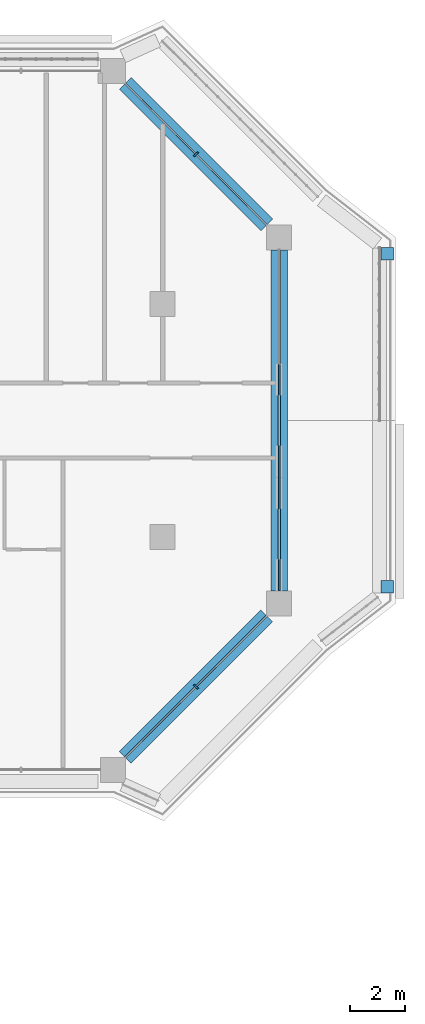
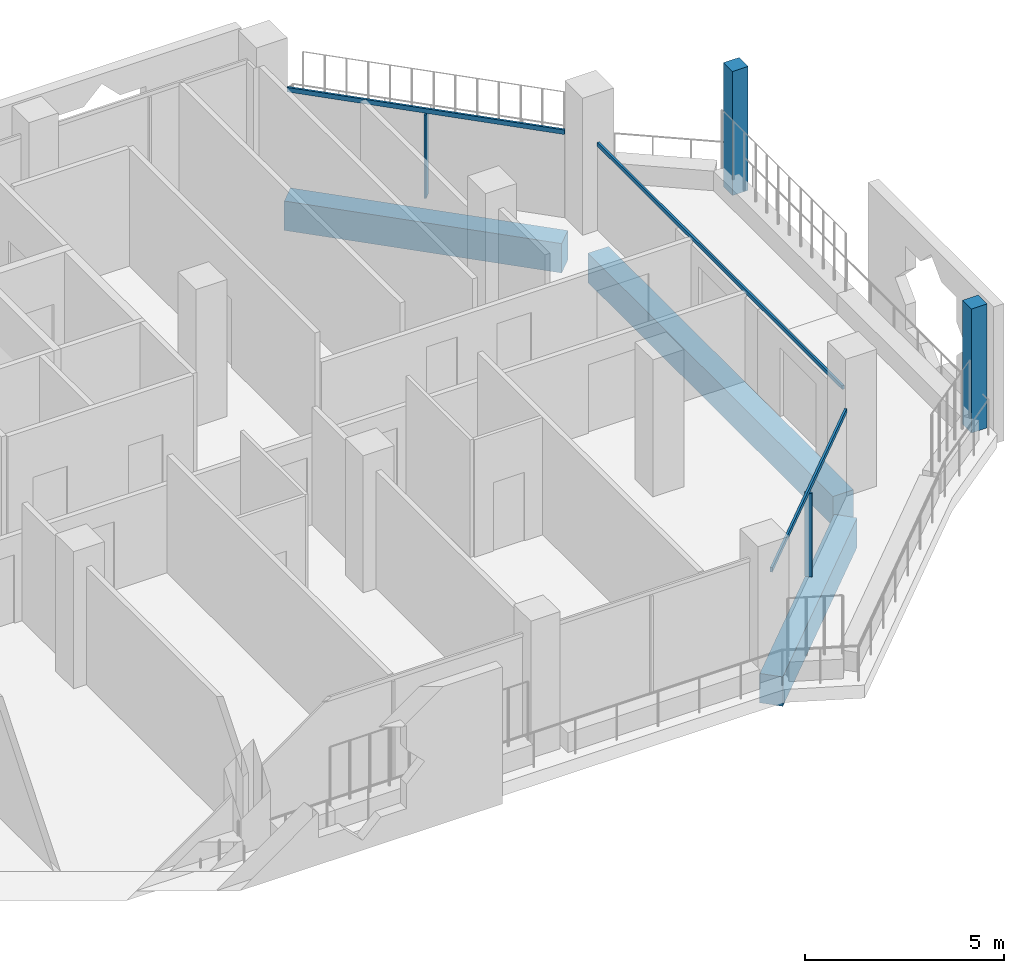
# One storey, part 7 of 21: 7 members, 3 beams, 4 elements without a shape of their own.
"""IFC4 building model written with IfcOpenShell, lengths in metres."""

from ifc_helpers import new_model, si_unit, direction, frame, origin, origin_2d, place, context, subcontext, project, spatial, rectangle, extrude, material, layer, layer_set, material_profile, profile_set, type_object, element, aggregate, save


model = new_model("IFC4")

# Units and contexts
model_context = context("Model", 3, precision=1e-05, world=origin(), true_north=direction((0.0, 1.0)))
body_context = subcontext(model_context, "Body", "Model", "MODEL_VIEW")
ifc_project = project(units=[si_unit("LENGTHUNIT", "METRE"), si_unit("AREAUNIT", "SQUARE_METRE"), si_unit("VOLUMEUNIT", "CUBIC_METRE"), si_unit("PLANEANGLEUNIT", "RADIAN"), si_unit("MASSUNIT", "GRAM", prefix="KILO")], contexts=[model_context])

# Site, building, storey
site_placement = place(None, origin())
site = spatial("IfcSite", under=ifc_project, at=site_placement, CompositionType="ELEMENT")
building_placement = place(site_placement, origin())
building = spatial("IfcBuilding", under=site, at=building_placement, Name="Kawkab Arch Medical Tower", CompositionType="ELEMENT")
storey_placement = place(building_placement, frame((0.0, 0.0, 264.199951171875)))
storey = spatial("IfcBuildingStorey", under=building, at=storey_placement, Name="L61", CompositionType="ELEMENT", Elevation=264.199951171875)

# Curtain wall, member
ifc_material_1 = material(Name="Bronze anodised aluminium curtain wall frame", Category="aluminium")
ifc_layer_1 = layer(ifc_material_1, 0.159912109375)
ifc_layer_set_1 = layer_set([ifc_layer_1], Name="Bronze anodised aluminium curtain wall frame")
curtain_wall_type_1 = type_object("IfcCurtainWallType", Name="CW1 ward curtain wall", PredefinedType="NOTDEFINED", material=ifc_layer_set_1)
placement = place(storey_placement, origin())
curtain_wall_1 = element("IfcCurtainWall", 1, at=placement, inside=storey, type_object=curtain_wall_type_1, Name="CW1 Ward curtain wall R09", PredefinedType="NOTDEFINED")
ifc_material_2 = material(Name="Bronze anodised aluminium curtain wall frame", Category="aluminium")
ifc_material_profile_1 = material_profile(ifc_material_2, rectangle(XDim=0.06005859375, YDim=0.1201171875, at=origin_2d()), Name="AL 60x120")
ifc_profile_set_1 = profile_set([ifc_material_profile_1], Name="Bronze anodised aluminium curtain wall frame")
member_type_1 = type_object("IfcMemberType", Name="CW1 transom 120 x 60", PredefinedType="USERDEFINED", material=ifc_profile_set_1)
member_1_placement = place(storey_placement, frame((63.0, -18.75, 2.64013671875), z_axis=(0.0, 1.0, 0.0), x_axis=(-1.0, 0.0, 0.0)))
member_1 = element("IfcMember", 2, at=member_1_placement, type_object=member_type_1, Name="CW1 transom 1", ObjectType="TRANSOM", PredefinedType="USERDEFINED", context=body_context, shape_type="SweptSolid", body=[
    extrude(rectangle(XDim=0.06005859375, YDim=0.1201171875, at=origin_2d()), origin(), (0.0, 0.0, 1.0), 12.300048828125),
])
aggregate(curtain_wall_1, [member_1])

ifc_material_3 = material(Name="Bronze anodised aluminium curtain wall frame", Category="aluminium")
ifc_layer_2 = layer(ifc_material_3, 0.159912109375)
ifc_layer_set_2 = layer_set([ifc_layer_2], Name="Bronze anodised aluminium curtain wall frame")
curtain_wall_type_2 = type_object("IfcCurtainWallType", Name="CW2 chamfer curtain wall", PredefinedType="NOTDEFINED", material=ifc_layer_set_2)
curtain_wall_2 = element("IfcCurtainWall", 3, at=placement, inside=storey, type_object=curtain_wall_type_2, Name="CW2 Chamfer curtain wall R08", PredefinedType="NOTDEFINED")
ifc_material_4 = material(Name="Bronze anodised aluminium curtain wall frame", Category="aluminium")
ifc_material_profile_2 = material_profile(ifc_material_4, rectangle(XDim=0.199951171875, YDim=0.06005859375, at=origin_2d()), Name="AL 60x200")
ifc_profile_set_2 = profile_set([ifc_material_profile_2], Name="Bronze anodised aluminium curtain wall frame")
member_type_2 = type_object("IfcMemberType", Name="CW2 mullion 60 x 200", PredefinedType="MULLION", material=ifc_profile_set_2)
member_2_placement = place(storey_placement, frame((60.0, -22.199951171875, 0.0), z_axis=(0.0, 0.0, 1.0), x_axis=(-0.707106781187, 0.707106781187, 0.0)))
member_2 = element("IfcMember", 4, at=member_2_placement, type_object=member_type_2, Name="CW2 mullion 1.1", PredefinedType="MULLION", context=body_context, shape_type="SweptSolid", body=[
    extrude(rectangle(XDim=0.199951171875, YDim=0.06005859375, at=origin_2d()), origin(), (0.0, 0.0, 1.0), 2.56005859375),
])

curtain_wall_3 = element("IfcCurtainWall", 5, at=placement, inside=storey, type_object=curtain_wall_type_2, Name="CW2 Chamfer curtain wall R10", PredefinedType="NOTDEFINED")
member_3_placement = place(storey_placement, frame((60.0, -3.0, 0.0), z_axis=(0.0, 0.0, 1.0), x_axis=(-0.707106781187, -0.707106781187, 0.0)))
member_3 = element("IfcMember", 6, at=member_3_placement, type_object=member_type_2, Name="CW2 mullion 1.1", PredefinedType="MULLION", context=body_context, shape_type="SweptSolid", body=[
    extrude(rectangle(XDim=0.199951171875, YDim=0.06005859375, at=origin_2d()), origin(), (0.0, 0.0, 1.0), 2.56005859375),
])

# Member
ifc_material_5 = material(Name="Bronze anodised aluminium curtain wall frame", Category="aluminium")
ifc_material_profile_3 = material_profile(ifc_material_5, rectangle(XDim=0.06005859375, YDim=0.139892578125, at=origin_2d()), Name="AL 60x140")
ifc_profile_set_3 = profile_set([ifc_material_profile_3], Name="Bronze anodised aluminium curtain wall frame")
member_type_3 = type_object("IfcMemberType", Name="CW2 transom 140 x 60", PredefinedType="USERDEFINED", material=ifc_profile_set_3)
member_4_placement = place(storey_placement, frame((57.449951171875, -24.75, 2.630126953125), z_axis=(0.707106781187, 0.707106781187, 0.0), x_axis=(-0.707106781187, 0.707106781187, 0.0)))
member_4 = element("IfcMember", 7, at=member_4_placement, type_object=member_type_3, Name="CW2 transom 1", ObjectType="TRANSOM", PredefinedType="USERDEFINED", context=body_context, shape_type="SweptSolid", body=[
    extrude(rectangle(XDim=0.06005859375, YDim=0.139892578125, at=origin_2d()), origin(), (0.0, 0.0, 1.0), 7.212646484375),
])

aggregate(curtain_wall_2, [member_4, member_2])

member_5_placement = place(storey_placement, frame((62.550048828125, -5.550048828125, 2.630126953125), z_axis=(-0.707106781187, 0.707106781187, 0.0), x_axis=(-0.707106781187, -0.707106781187, 0.0)))
member_5 = element("IfcMember", 8, at=member_5_placement, type_object=member_type_3, Name="CW2 transom 1", ObjectType="TRANSOM", PredefinedType="USERDEFINED", context=body_context, shape_type="SweptSolid", body=[
    extrude(rectangle(XDim=0.06005859375, YDim=0.139892578125, at=origin_2d()), origin(), (0.0, 0.0, 1.0), 7.212646484375),
])

aggregate(curtain_wall_3, [member_5, member_3])

# Curtain wall, members
ifc_material_6 = material(Name="Bronze anodised aluminium climber frame, planted", Category="aluminium")
ifc_layer_3 = layer(ifc_material_6, 0.449951171875)
ifc_layer_set_3 = layer_set([ifc_layer_3], Name="Bronze anodised aluminium climber frame, planted")
curtain_wall_type_3 = type_object("IfcCurtainWallType", Name="Planted climber frame", PredefinedType="NOTDEFINED", material=ifc_layer_set_3)
curtain_wall_4 = element("IfcCurtainWall", 9, at=placement, inside=storey, type_object=curtain_wall_type_3, Name="Planted climber frame L61", PredefinedType="NOTDEFINED")
ifc_material_7 = material(Name="Bronze anodised aluminium climber frame, planted", Category="aluminium")
ifc_material_profile_4 = material_profile(ifc_material_7, rectangle(XDim=0.449951171875, YDim=0.449951171875, at=origin_2d()), Name="Post 450x450")
ifc_profile_set_4 = profile_set([ifc_material_profile_4], Name="Bronze anodised aluminium climber frame, planted")
member_type_4 = type_object("IfcMemberType", Name="Planted climber post 450 x 450", PredefinedType="MULLION", material=ifc_profile_set_4)
member_6_placement = place(storey_placement, frame((66.89990234375, -6.596923828125, 0.0), z_axis=(0.0, 0.0, 1.0), x_axis=(1.0, 0.0, 0.0)))
member_6 = element("IfcMember", 10, at=member_6_placement, type_object=member_type_4, Name="Planted climber post L61.LOG-01-01.1", PredefinedType="MULLION", context=body_context, shape_type="SweptSolid", body=[
    extrude(rectangle(XDim=0.449951171875, YDim=0.449951171875, at=origin_2d()), origin(), (0.0, 0.0, 1.0), 3.800048828125),
])
member_7_placement = place(storey_placement, frame((66.89990234375, -18.60302734375, 0.0), z_axis=(0.0, 0.0, 1.0), x_axis=(1.0, 0.0, 0.0)))
member_7 = element("IfcMember", 11, at=member_7_placement, type_object=member_type_4, Name="Planted climber post L61.LOG-01-01.2", PredefinedType="MULLION", context=body_context, shape_type="SweptSolid", body=[
    extrude(rectangle(XDim=0.449951171875, YDim=0.449951171875, at=origin_2d()), origin(), (0.0, 0.0, 1.0), 3.800048828125),
])
aggregate(curtain_wall_4, [member_6, member_7])

# Beams
ifc_material_8 = material(Name="Concrete C45/55", Category="concrete")
ifc_material_profile_5 = material_profile(ifc_material_8, rectangle(XDim=0.60009765625, YDim=0.89990234375, at=origin_2d()), Name="RC 600x900")
ifc_profile_set_5 = profile_set([ifc_material_profile_5], Name="Concrete C45/55")
beam_type = type_object("IfcBeamType", Name="RC 600x900 beam C45/55", PredefinedType="BEAM", material=ifc_profile_set_5)
beam_1_placement = place(storey_placement, frame((57.449951171875, -0.449951171875, -1.050048828125), z_axis=(0.707106781187, -0.707106781187, 0.0), x_axis=(0.707106781187, 0.707106781187, 0.0)))
element("IfcBeam", 12, at=beam_1_placement, inside=storey, type_object=beam_type, Name="Overhang edge beam L61-01", PredefinedType="BEAM", context=body_context, shape_type="SweptSolid", body=[
    extrude(rectangle(XDim=0.60009765625, YDim=0.89990234375, at=origin_2d()), origin(), (0.0, 0.0, 1.0), 7.212646484375),
])
beam_2_placement = place(storey_placement, frame((63.0, -6.449951171875, -1.050048828125), z_axis=(0.0, -1.0, 0.0), x_axis=(1.0, 0.0, 0.0)))
element("IfcBeam", 13, at=beam_2_placement, inside=storey, type_object=beam_type, Name="Overhang edge beam L61-02", PredefinedType="BEAM", context=body_context, shape_type="SweptSolid", body=[
    extrude(rectangle(XDim=0.60009765625, YDim=0.89990234375, at=origin_2d()), origin(), (0.0, 0.0, 1.0), 12.300048828125),
])
beam_3_placement = place(storey_placement, frame((62.550048828125, -19.64990234375, -1.050048828125), z_axis=(-0.707106781187, -0.707106781187, 0.0), x_axis=(0.707106781187, -0.707106781187, 0.0)))
element("IfcBeam", 14, at=beam_3_placement, inside=storey, type_object=beam_type, Name="Overhang edge beam L61-03", PredefinedType="BEAM", context=body_context, shape_type="SweptSolid", body=[
    extrude(rectangle(XDim=0.60009765625, YDim=0.89990234375, at=origin_2d()), origin(), (0.0, 0.0, 1.0), 7.212646484375),
])

save(model, "model.ifc")
